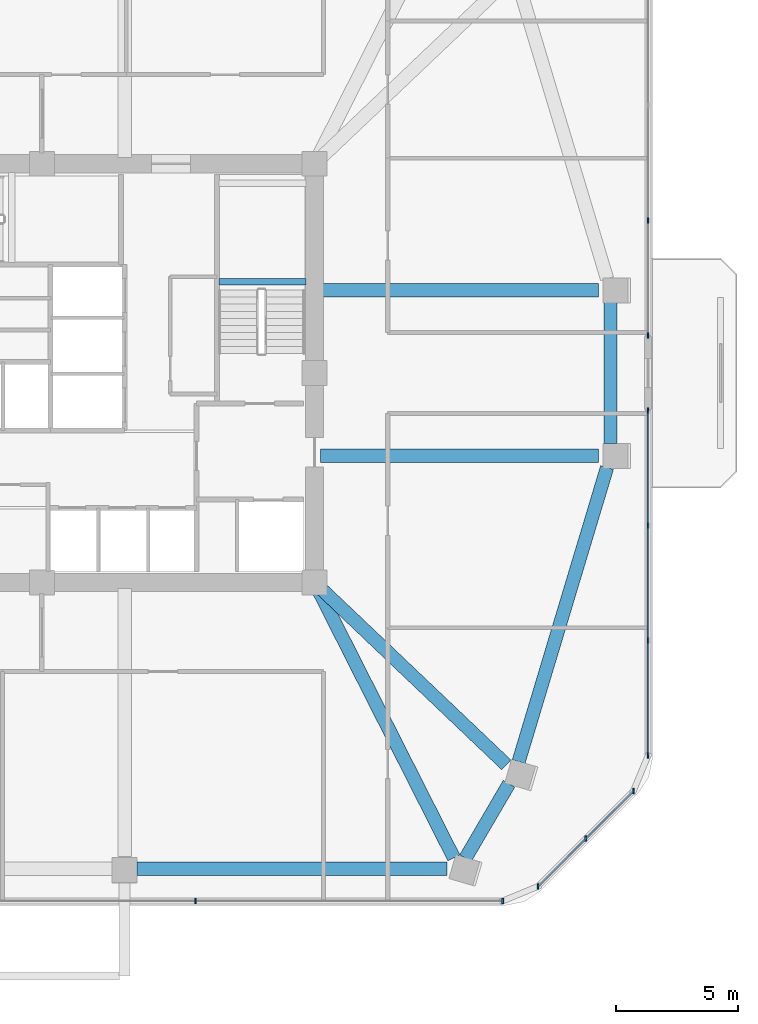
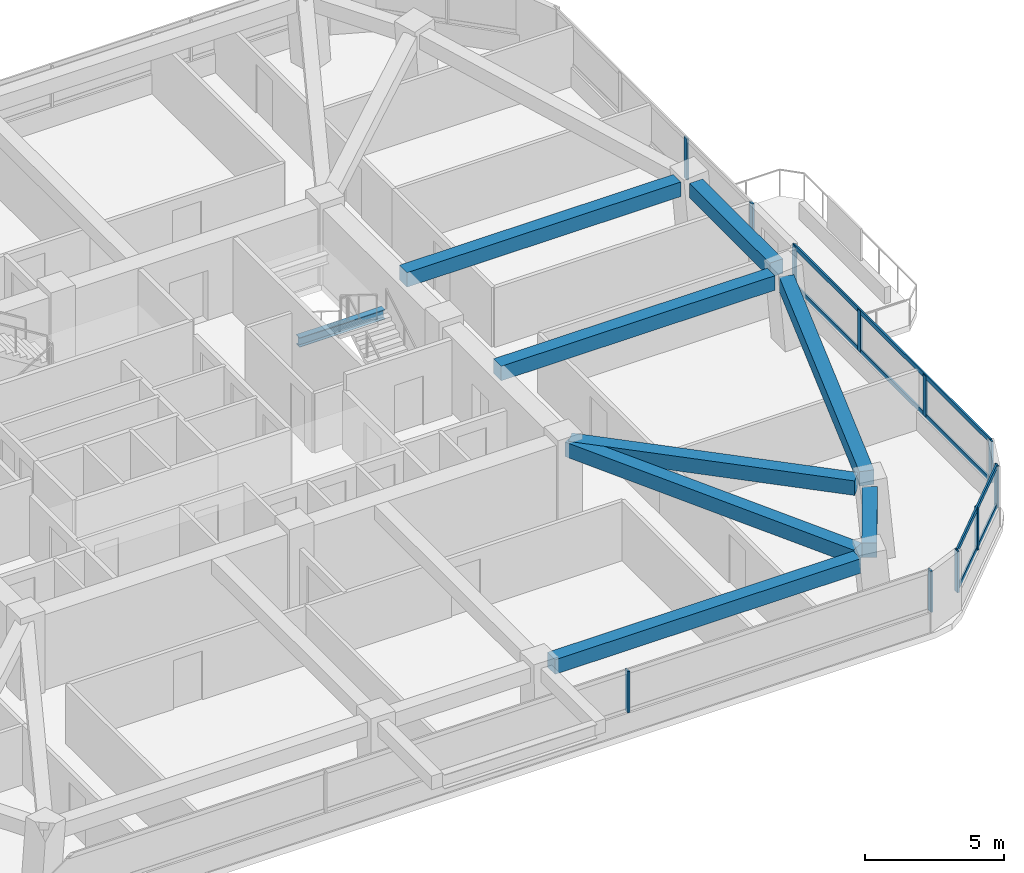
# One storey, part 5 of 13: 15 members, 9 beams, 4 elements without a shape of their own.
"""IFC4 building model written with IfcOpenShell, lengths in metres."""

import ifcopenshell
import ifcopenshell.guid

model = None  # the IFC model being written
_history = None  # IfcOwnerHistory: only IFC2X3 demands one
_inside = {}  # id of a spatial element -> (the spatial element, [elements in it])
_under = {}  # id of a project, library or spatial element -> (it, [spatial elements below it])
_declared = {}  # id of a project -> (the project, [libraries it declares])
_typed = {}  # id of a type object -> (the type object, [elements of that type])
_made_of = {}  # id of a material, layer set ... -> (it, [elements and type objects made of it])


def new_model(schema):
    """Start an empty IFC model of exactly this schema.

    Asked for "IFC4X3", IfcOpenShell would pick the latest addendum, in which some entities
    have other attributes; the version numbers below select the first issue.
    IFC2X3 requires an IfcOwnerHistory on every rooted entity: one is made here for all.
    """
    global model, _history
    if schema == "IFC4X3":
        model = ifcopenshell.file(schema_version=(4, 3, 0, 0))
    else:
        model = ifcopenshell.file(schema=schema)
    _inside.clear()
    _under.clear()
    _declared.clear()
    _typed.clear()
    _made_of.clear()
    _history = None
    if model.schema == "IFC2X3":
        org = make("IfcOrganization", Name="unknown")
        user = make(
            "IfcPersonAndOrganization",
            ThePerson=make("IfcPerson", FamilyName="unknown"),
            TheOrganization=org,
        )
        app = make(
            "IfcApplication",
            ApplicationDeveloper=org,
            Version="unknown",
            ApplicationFullName="unknown",
            ApplicationIdentifier="unknown",
        )
        _history = make(
            "IfcOwnerHistory",
            OwningUser=user,
            OwningApplication=app,
            ChangeAction="ADDED",
            CreationDate=0,
        )
    return model


def make(cls, **values):
    """One entity of the class cls with the attributes given. An attribute that is None is left unset."""
    return model.create_entity(
        cls, **{name: value for name, value in values.items() if value is not None}
    )


def rooted(cls, **values):
    """An entity with a GlobalId (a new one), such as an element, a storey or a relation."""
    return make(cls, GlobalId=ifcopenshell.guid.new(), OwnerHistory=_history, **values)


def si_unit(unit_type, name, prefix=None):
    """IfcSIUnit, for example si_unit("LENGTHUNIT", "METRE", prefix="MILLI")."""
    return make("IfcSIUnit", UnitType=unit_type, Prefix=prefix, Name=name)


def derived_unit(unit_type, elements):
    """IfcDerivedUnit: a product of units, each with its exponent."""
    return make(
        "IfcDerivedUnit",
        Elements=[
            make("IfcDerivedUnitElement", Unit=unit, Exponent=power)
            for unit, power in elements
        ],
        UnitType=unit_type,
    )


def assignment(units):
    """IfcUnitAssignment: the units of a project."""
    return None if units is None else make("IfcUnitAssignment", Units=units)


def point(xyz):
    """IfcCartesianPoint."""
    return None if xyz is None else make("IfcCartesianPoint", Coordinates=xyz)


def direction(xyz):
    """IfcDirection."""
    return None if xyz is None else make("IfcDirection", DirectionRatios=xyz)


def frame(location, z_axis=None, x_axis=None):
    """IfcAxis2Placement3D, a coordinate frame: its origin and axes. An axis left out is left unset."""
    return make(
        "IfcAxis2Placement3D",
        Location=point(location),
        Axis=direction(z_axis),
        RefDirection=direction(x_axis),
    )


def frame_2d(location, x_axis=None):
    """IfcAxis2Placement2D, a coordinate frame in the plane: its origin and x axis."""
    return make(
        "IfcAxis2Placement2D", Location=point(location), RefDirection=direction(x_axis)
    )


def origin():
    """The frame at (0, 0, 0) with its axes left unset."""
    return frame((0.0, 0.0, 0.0))


def origin_2d():
    """The frame at (0, 0) in the plane with its x axis left unset."""
    return frame_2d((0.0, 0.0))


def place(relative_to, where):
    """IfcLocalPlacement: puts the frame where relative to a parent placement (None: the world)."""
    return make(
        "IfcLocalPlacement", PlacementRelTo=relative_to, RelativePlacement=where
    )


def context(
    kind, dimensions, precision=None, world=None, true_north=None, identifier=None
):
    """IfcGeometricRepresentationContext, for example the 3D "Model" context."""
    return make(
        "IfcGeometricRepresentationContext",
        ContextIdentifier=identifier,
        ContextType=kind,
        CoordinateSpaceDimension=dimensions,
        Precision=precision,
        WorldCoordinateSystem=world,
        TrueNorth=true_north,
    )


def subcontext(parent, identifier, kind, view, scale=None):
    """IfcGeometricRepresentationSubContext, for example "Body" below "Model"."""
    return make(
        "IfcGeometricRepresentationSubContext",
        ContextIdentifier=identifier,
        ContextType=kind,
        ParentContext=parent,
        TargetScale=scale,
        TargetView=view,
    )


def project(units=None, contexts=None):
    """IfcProject with its units and contexts."""
    return rooted(
        "IfcProject",
        Name="project",
        RepresentationContexts=contexts,
        UnitsInContext=assignment(units),
    )


def spatial(cls, under=None, at=None, **own):
    """A site, building, storey or space (cls), placed at a placement, below another one or the project."""
    s = rooted(cls, ObjectPlacement=at, **own)
    if under is not None:
        _under.setdefault(under.id(), (under, []))[1].append(s)
    return s


def profile(cls, at=None, kind="AREA", **sizes):
    """A parametric profile (cls). Its sizes go by their IFC names, for example OverallWidth=200.0."""
    return make(cls, ProfileType=kind, Position=at, **sizes)


def rectangle(**sizes):
    """IfcRectangleProfileDef."""
    return profile("IfcRectangleProfileDef", **sizes)


def i_section(**sizes):
    """IfcIShapeProfileDef."""
    return profile("IfcIShapeProfileDef", **sizes)


def extrude(swept, where, along, depth):
    """IfcExtrudedAreaSolid: the profile swept, set in the frame where, extruded along a direction by depth."""
    return make(
        "IfcExtrudedAreaSolid",
        SweptArea=swept,
        Position=where,
        ExtrudedDirection=direction(along),
        Depth=depth,
    )


def shape(context_of_items, identifier, shape_type, items):
    """IfcShapeRepresentation: the items that make up one representation, for example the "Body"."""
    return make(
        "IfcShapeRepresentation",
        ContextOfItems=context_of_items,
        RepresentationIdentifier=identifier,
        RepresentationType=shape_type,
        Items=items,
    )


def material(Name=None, Category=None):
    """IfcMaterial."""
    return make("IfcMaterial", Name=Name, Category=Category)


def material_profile(
    of_material, cross_section, Name=None, Category=None, Priority=None
):
    """IfcMaterialProfile: a cross section and its material."""
    return make(
        "IfcMaterialProfile",
        Name=Name,
        Material=of_material,
        Profile=cross_section,
        Priority=Priority,
        Category=Category,
    )


def profile_set(profiles, Name=None, composite=None):
    """IfcMaterialProfileSet."""
    return make(
        "IfcMaterialProfileSet",
        Name=Name,
        MaterialProfiles=profiles,
        CompositeProfile=composite,
    )


def made_of(thing, what):
    """Note that an element or type object is made of a material, layer set ...; save() writes the relation."""
    if what is not None:
        _made_of.setdefault(what.id(), (what, []))[1].append(thing)
    return thing


def type_object(cls, material=None, **own):
    """A type object (cls), such as IfcWallType, which elements share."""
    return made_of(rooted(cls, **own), material)


def element(
    cls,
    number,
    at=None,
    inside=None,
    cuts=None,
    type_object=None,
    material=None,
    context=None,
    identifier="Body",
    shape_type=None,
    held_by="IfcProductDefinitionShape",
    body=None,
    shapes=None,
    **own,
):
    """One element of the class cls, such as IfcWall. Its Tag is "e" and its number.

    at: its placement. inside: the storey or other place that contains it. cuts: it is an
    opening in that element (IfcRelVoidsElement). A single representation is given by context,
    identifier, shape_type and body (its items); several are given by shapes. held_by: the class
    of the entity that holds the representations. save() writes the other relations.
    """
    e = rooted(cls, Tag="e%d" % number, ObjectPlacement=at, **own)
    if body is not None:
        shapes = [shape(context, identifier, shape_type, body)]
    if shapes is not None:
        e.Representation = make(held_by, Representations=shapes)
    if inside is not None:
        _inside.setdefault(inside.id(), (inside, []))[1].append(e)
    if cuts is not None:
        rooted(
            "IfcRelVoidsElement", RelatingBuildingElement=cuts, RelatedOpeningElement=e
        )
    if type_object is not None:
        _typed.setdefault(type_object.id(), (type_object, []))[1].append(e)
    return made_of(e, material)


def aggregate(whole, parts):
    """IfcRelAggregates: a whole, such as a stair, and the parts it consists of."""
    return rooted("IfcRelAggregates", RelatingObject=whole, RelatedObjects=parts)


def save(model, path):
    """Write the relations noted so far, then the file.

    IfcRelAggregates (storeys below a building ...), IfcRelContainedInSpatialStructure (elements
    in a storey), IfcRelDefinesByType, IfcRelAssociatesMaterial and IfcRelDeclares: one each for
    every whole, place, type object, material and project.
    """
    for whole, parts in _under.values():
        aggregate(whole, parts)
    for where, things in _inside.values():
        rooted(
            "IfcRelContainedInSpatialStructure",
            RelatedElements=things,
            RelatingStructure=where,
        )
    for kind, things in _typed.values():
        rooted("IfcRelDefinesByType", RelatedObjects=things, RelatingType=kind)
    for what, things in _made_of.values():
        rooted("IfcRelAssociatesMaterial", RelatedObjects=things, RelatingMaterial=what)
    for by, libraries in _declared.values():
        rooted("IfcRelDeclares", RelatingContext=by, RelatedDefinitions=libraries)
    model.write(path)


model = new_model("IFC4")

# Units and contexts
model_context = context("Model", 3, precision=1e-05, world=origin(), true_north=direction((0.0, 1.0)))
body_context = subcontext(model_context, "Body", "Model", "MODEL_VIEW")
ifc_project = project(units=[si_unit("LENGTHUNIT", "METRE"), si_unit("AREAUNIT", "SQUARE_METRE"), si_unit("VOLUMEUNIT", "CUBIC_METRE"), si_unit("PLANEANGLEUNIT", "RADIAN"), si_unit("MASSUNIT", "GRAM", prefix="KILO"), derived_unit("THERMALTRANSMITTANCEUNIT", [(si_unit("POWERUNIT", "WATT"), 1), (si_unit("LENGTHUNIT", "METRE"), -2), (si_unit("THERMODYNAMICTEMPERATUREUNIT", "KELVIN"), -1)])], contexts=[model_context])

# Site, building, storey
site_placement = place(None, origin())
site = spatial("IfcSite", under=ifc_project, at=site_placement, CompositionType="ELEMENT")
building_placement = place(site_placement, origin())
building = spatial("IfcBuilding", under=site, at=building_placement, Name="Koralith Skygarden Medical Center", CompositionType="ELEMENT")
storey_placement = place(building_placement, frame((0.0, 0.0, 109.97998046875)))
storey = spatial("IfcBuildingStorey", under=building, at=storey_placement, Name="L28", CompositionType="ELEMENT", Elevation=109.97998046875)

# Curtain wall, members
ifc_material_1 = material(Name="Clear Laminated Glass", Category="glass")
curtain_wall_type = type_object("IfcCurtainWallType", Name="CW-3 Zone 2 Faceted Solar Curtain Wall", PredefinedType="NOTDEFINED", material=ifc_material_1)
curtain_wall_1_placement = place(storey_placement, origin())
curtain_wall_1 = element("IfcCurtainWall", 1, at=curtain_wall_1_placement, inside=storey, type_object=curtain_wall_type, Name="Curtain Wall CW-L28-S", PredefinedType="NOTDEFINED")
ifc_material_2 = material(Name="Aluminium 6063-T6", Category="aluminium")
ifc_material_profile_1 = material_profile(ifc_material_2, rectangle(XDim=0.073974609375, YDim=0.219970703125, at=origin_2d()), Name="MUL74X220")
ifc_profile_set_1 = profile_set([ifc_material_profile_1], Name="Aluminium 6063-T6")
member_type_1 = type_object("IfcMemberType", Name="CW-3 Extruded Mullion 74x220", PredefinedType="MULLION", material=ifc_profile_set_1)
member_1_placement = place(storey_placement, frame((43.31005859375, 4.2109375, 0.85009765625), z_axis=(0.0, 0.0, 1.0), x_axis=(1.0, 0.0, 0.0)))
member_1 = element("IfcMember", 2, at=member_1_placement, type_object=member_type_1, Name="CW-L28-S Mullion 3", PredefinedType="MULLION", context=body_context, shape_type="SweptSolid", body=[
    extrude(rectangle(XDim=0.073974609375, YDim=0.219970703125, at=origin_2d()), origin(), (0.0, 0.0, 1.0), 1.81982421875),
])
member_2_placement = place(storey_placement, frame((55.930908203125, 4.2109375, 0.85009765625), z_axis=(0.0, 0.0, 1.0), x_axis=(1.0, 0.0, 0.0)))
member_2 = element("IfcMember", 3, at=member_2_placement, type_object=member_type_1, Name="CW-L28-S Mullion 4", PredefinedType="MULLION", context=body_context, shape_type="SweptSolid", body=[
    extrude(rectangle(XDim=0.073974609375, YDim=0.219970703125, at=origin_2d()), origin(), (0.0, 0.0, 1.0), 1.81982421875),
])
aggregate(curtain_wall_1, [member_1, member_2])

curtain_wall_2_placement = place(storey_placement, origin())
curtain_wall_2 = element("IfcCurtainWall", 4, at=curtain_wall_2_placement, inside=storey, type_object=curtain_wall_type, Name="Curtain Wall CW-L28-SE", PredefinedType="NOTDEFINED")
member_3_placement = place(storey_placement, frame((57.382080078125, 4.81201171875, 0.85009765625), z_axis=(0.0, 0.0, 1.0), x_axis=(1.0, 0.0, 0.0)))
member_3 = element("IfcMember", 5, at=member_3_placement, type_object=member_type_1, Name="CW-L28-SE Mullion 1", PredefinedType="MULLION", context=body_context, shape_type="SweptSolid", body=[
    extrude(rectangle(XDim=0.073974609375, YDim=0.219970703125, at=origin_2d()), origin(), (0.0, 0.0, 1.0), 1.81982421875),
])
member_4_placement = place(storey_placement, frame((59.343017578125, 6.77392578125, 0.85009765625), z_axis=(0.0, 0.0, 1.0), x_axis=(1.0, 0.0, 0.0)))
member_4 = element("IfcMember", 6, at=member_4_placement, type_object=member_type_1, Name="CW-L28-SE Mullion 2", PredefinedType="MULLION", context=body_context, shape_type="SweptSolid", body=[
    extrude(rectangle(XDim=0.073974609375, YDim=0.219970703125, at=origin_2d()), origin(), (0.0, 0.0, 1.0), 1.81982421875),
])
member_5_placement = place(storey_placement, frame((61.304931640625, 8.735107421875, 0.85009765625), z_axis=(0.0, 0.0, 1.0), x_axis=(1.0, 0.0, 0.0)))
member_5 = element("IfcMember", 7, at=member_5_placement, type_object=member_type_1, Name="CW-L28-SE Mullion 3", PredefinedType="MULLION", context=body_context, shape_type="SweptSolid", body=[
    extrude(rectangle(XDim=0.073974609375, YDim=0.219970703125, at=origin_2d()), origin(), (0.0, 0.0, 1.0), 1.81982421875),
])

curtain_wall_3_placement = place(storey_placement, origin())
curtain_wall_3 = element("IfcCurtainWall", 8, at=curtain_wall_3_placement, inside=storey, type_object=curtain_wall_type, Name="Curtain Wall CW-L28-E-L", PredefinedType="NOTDEFINED")
member_6_placement = place(storey_placement, frame((61.906005859375, 10.18603515625, 0.85009765625), z_axis=(0.0, 0.0, 1.0), x_axis=(1.0, 0.0, 0.0)))
member_6 = element("IfcMember", 9, at=member_6_placement, type_object=member_type_1, Name="CW-L28-E-L Mullion 1", PredefinedType="MULLION", context=body_context, shape_type="SweptSolid", body=[
    extrude(rectangle(XDim=0.073974609375, YDim=0.219970703125, at=origin_2d()), origin(), (0.0, 0.0, 1.0), 1.81982421875),
])
member_7_placement = place(storey_placement, frame((61.906005859375, 14.909912109375, 0.85009765625), z_axis=(0.0, 0.0, 1.0), x_axis=(1.0, 0.0, 0.0)))
member_7 = element("IfcMember", 10, at=member_7_placement, type_object=member_type_1, Name="CW-L28-E-L Mullion 2", PredefinedType="MULLION", context=body_context, shape_type="SweptSolid", body=[
    extrude(rectangle(XDim=0.073974609375, YDim=0.219970703125, at=origin_2d()), origin(), (0.0, 0.0, 1.0), 1.81982421875),
])
member_8_placement = place(storey_placement, frame((61.906005859375, 19.635009765625, 0.85009765625), z_axis=(0.0, 0.0, 1.0), x_axis=(1.0, 0.0, 0.0)))
member_8 = element("IfcMember", 11, at=member_8_placement, type_object=member_type_1, Name="CW-L28-E-L Mullion 3", PredefinedType="MULLION", context=body_context, shape_type="SweptSolid", body=[
    extrude(rectangle(XDim=0.073974609375, YDim=0.219970703125, at=origin_2d()), origin(), (0.0, 0.0, 1.0), 1.81982421875),
])
member_9_placement = place(storey_placement, frame((61.906005859375, 24.35888671875, 0.85009765625), z_axis=(0.0, 0.0, 1.0), x_axis=(1.0, 0.0, 0.0)))
member_9 = element("IfcMember", 12, at=member_9_placement, type_object=member_type_1, Name="CW-L28-E-L Mullion 4", PredefinedType="MULLION", context=body_context, shape_type="SweptSolid", body=[
    extrude(rectangle(XDim=0.073974609375, YDim=0.219970703125, at=origin_2d()), origin(), (0.0, 0.0, 1.0), 1.81982421875),
])

curtain_wall_4_placement = place(storey_placement, origin())
curtain_wall_4 = element("IfcCurtainWall", 13, at=curtain_wall_4_placement, inside=storey, type_object=curtain_wall_type, Name="Curtain Wall CW-L28-E-R", PredefinedType="NOTDEFINED")
member_10_placement = place(storey_placement, frame((61.906005859375, 27.43896484375, 0.85009765625), z_axis=(0.0, 0.0, 1.0), x_axis=(1.0, 0.0, 0.0)))
member_10 = element("IfcMember", 14, at=member_10_placement, type_object=member_type_1, Name="CW-L28-E-R Mullion 1", PredefinedType="MULLION", context=body_context, shape_type="SweptSolid", body=[
    extrude(rectangle(XDim=0.073974609375, YDim=0.219970703125, at=origin_2d()), origin(), (0.0, 0.0, 1.0), 1.81982421875),
])
member_11_placement = place(storey_placement, frame((61.906005859375, 32.1640625, 0.85009765625), z_axis=(0.0, 0.0, 1.0), x_axis=(1.0, 0.0, 0.0)))
member_11 = element("IfcMember", 15, at=member_11_placement, type_object=member_type_1, Name="CW-L28-E-R Mullion 2", PredefinedType="MULLION", context=body_context, shape_type="SweptSolid", body=[
    extrude(rectangle(XDim=0.073974609375, YDim=0.219970703125, at=origin_2d()), origin(), (0.0, 0.0, 1.0), 1.81982421875),
])
aggregate(curtain_wall_4, [member_10, member_11])

# Member
ifc_material_profile_2 = material_profile(ifc_material_2, rectangle(XDim=0.069091796875, YDim=0.197998046875, at=origin_2d()), Name="TRN69X198")
ifc_profile_set_2 = profile_set([ifc_material_profile_2], Name="Aluminium 6063-T6")
member_type_2 = type_object("IfcMemberType", Name="CW-3 Thermal Transom 69x198", PredefinedType="USERDEFINED", material=ifc_profile_set_2)
member_12_placement = place(storey_placement, frame((57.382080078125, 4.81201171875, 0.89990234375), z_axis=(0.707084777957, 0.707128783731, 0.0), x_axis=(-0.707128783731, 0.707084777957, 0.0)))
member_12 = element("IfcMember", 16, at=member_12_placement, type_object=member_type_2, Name="CW-L28-SE Transom 1", ObjectType="TRANSOM", PredefinedType="USERDEFINED", context=body_context, shape_type="SweptSolid", body=[
    extrude(rectangle(XDim=0.069091796875, YDim=0.197998046875, at=origin_2d()), origin(), (0.0, 0.0, 1.0), 5.5478515625),
])

member_13_placement = place(storey_placement, frame((57.382080078125, 4.81201171875, 2.6201171875), z_axis=(0.707084777957, 0.707128783731, 0.0), x_axis=(-0.707128783731, 0.707084777957, 0.0)))
member_13 = element("IfcMember", 17, at=member_13_placement, type_object=member_type_2, Name="CW-L28-SE Transom 2", ObjectType="TRANSOM", PredefinedType="USERDEFINED", context=body_context, shape_type="SweptSolid", body=[
    extrude(rectangle(XDim=0.069091796875, YDim=0.197998046875, at=origin_2d()), origin(), (0.0, 0.0, 1.0), 5.5478515625),
])

aggregate(curtain_wall_2, [member_3, member_4, member_5, member_12, member_13])

member_14_placement = place(storey_placement, frame((61.906005859375, 10.18603515625, 0.89990234375), z_axis=(0.0, 1.0, 0.0), x_axis=(-1.0, 0.0, 0.0)))
member_14 = element("IfcMember", 18, at=member_14_placement, type_object=member_type_2, Name="CW-L28-E-L Transom 1", ObjectType="TRANSOM", PredefinedType="USERDEFINED", context=body_context, shape_type="SweptSolid", body=[
    extrude(rectangle(XDim=0.069091796875, YDim=0.197998046875, at=origin_2d()), origin(), (0.0, 0.0, 1.0), 14.1728515625),
])

member_15_placement = place(storey_placement, frame((61.906005859375, 10.18603515625, 2.6201171875), z_axis=(0.0, 1.0, 0.0), x_axis=(-1.0, 0.0, 0.0)))
member_15 = element("IfcMember", 19, at=member_15_placement, type_object=member_type_2, Name="CW-L28-E-L Transom 2", ObjectType="TRANSOM", PredefinedType="USERDEFINED", context=body_context, shape_type="SweptSolid", body=[
    extrude(rectangle(XDim=0.069091796875, YDim=0.197998046875, at=origin_2d()), origin(), (0.0, 0.0, 1.0), 14.1728515625),
])

aggregate(curtain_wall_3, [member_6, member_7, member_8, member_9, member_14, member_15])

# Beams
ifc_material_3 = material(Name="Steel ASTM A992 Grade 50", Category="steel")
ifc_material_profile_3 = material_profile(ifc_material_3, i_section(OverallWidth=0.260009765625, OverallDepth=0.4150390625, WebThickness=0.010009765625, FlangeThickness=0.016845703125, at=origin_2d()), Name="W16X67")
ifc_profile_set_3 = profile_set([ifc_material_profile_3], Name="Steel ASTM A992 Grade 50")
beam_type_1 = type_object("IfcBeamType", Name="Clinical Floor Joist W16X67", PredefinedType="JOIST", material=ifc_profile_set_3)
beam_1_placement = place(storey_placement, frame((44.280029296875, 29.659912109375, 1.39306640625), z_axis=(1.0, 0.0, 0.0), x_axis=(0.0, 1.0, 0.0)))
element("IfcBeam", 20, at=beam_1_placement, inside=storey, type_object=beam_type_1, Name="L28 Stair ST2 Half-Landing Support Beam 1A", PredefinedType="JOIST", context=body_context, shape_type="SweptSolid", body=[
    extrude(i_section(OverallWidth=0.260009765625, OverallDepth=0.4150390625, WebThickness=0.010009765625, FlangeThickness=0.016845703125, at=origin_2d()), origin(), (0.0, 0.0, 1.0), 3.56494140625),
])
ifc_material_4 = material(Name="Concrete C45/55", Category="concrete")
ifc_material_profile_4 = material_profile(ifc_material_4, rectangle(XDim=0.550048828125, YDim=0.639892578125, at=origin_2d()), Name="RCB550X640")
ifc_profile_set_4 = profile_set([ifc_material_profile_4], Name="Concrete C45/55")
beam_type_2 = type_object("IfcBeamType", Name="Radial Collector Beam RCB550X640", PredefinedType="BEAM", material=ifc_profile_set_4)
beam_2_placement = place(storey_placement, frame((48.31298828125, 17.076904296875, 3.0), z_axis=(0.451529041703, -0.892256423064, 0.0), x_axis=(0.892256423064, 0.451529041703, 0.0)))
element("IfcBeam", 21, at=beam_2_placement, inside=storey, type_object=beam_type_2, Name="L28 Radial Collector Beam RB-06", PredefinedType="BEAM", context=body_context, shape_type="SweptSolid", body=[
    extrude(rectangle(XDim=0.550048828125, YDim=0.639892578125, at=origin_2d()), origin(), (0.0, 0.0, 1.0), 12.43115234375),
])
beam_3_placement = place(storey_placement, frame((48.381103515625, 17.1279296875, 3.0), z_axis=(0.724664943916, -0.689101385181, 0.0), x_axis=(0.689101385181, 0.724664943916, 0.0)))
element("IfcBeam", 22, at=beam_3_placement, inside=storey, type_object=beam_type_2, Name="L28 Radial Collector Beam RB-07", PredefinedType="BEAM", context=body_context, shape_type="SweptSolid", body=[
    extrude(rectangle(XDim=0.550048828125, YDim=0.639892578125, at=origin_2d()), origin(), (0.0, 0.0, 1.0), 10.626953125),
])
for number, where, z_axis, x_axis, name in (
    (23, (48.449951171875, 22.5, 3.0), (1.0, 0.0, 0.0), (0.0, 1.0, 0.0), "L28 Radial Collector Beam RB-08"),
    (24, (48.449951171875, 29.300048828125, 3.0), (1.0, 0.0, 0.0), (0.0, 1.0, 0.0), "L28 Radial Collector Beam RB-09"),
):
    element("IfcBeam", number, at=place(storey_placement, frame(where, z_axis=z_axis, x_axis=x_axis)), inside=storey, type_object=beam_type_2, Name=name, PredefinedType="BEAM", context=body_context, shape_type="SweptSolid", body=[
        extrude(rectangle(XDim=0.550048828125, YDim=0.639892578125, at=origin_2d()), origin(), (0.0, 0.0, 1.0), 11.4140625),
    ])
ifc_material_profile_5 = material_profile(ifc_material_4, rectangle(XDim=0.550048828125, YDim=0.639892578125, at=origin_2d()), Name="RCB550X640")
ifc_profile_set_5 = profile_set([ifc_material_profile_5], Name="Concrete C45/55")
beam_type_3 = type_object("IfcBeamType", Name="Zone 2-3 Spandrel Beam RCB550X640", PredefinedType="SPANDREL", material=ifc_profile_set_5)
beam_4_placement = place(storey_placement, frame((40.89990234375, 5.5390625, 3.0), z_axis=(1.0, 0.0, 0.0), x_axis=(0.0, 1.0, 0.0)))
element("IfcBeam", 25, at=beam_4_placement, inside=storey, type_object=beam_type_3, Name="L28 Perimeter Spandrel Beam SP-05", PredefinedType="SPANDREL", context=body_context, shape_type="SweptSolid", body=[
    extrude(rectangle(XDim=0.550048828125, YDim=0.639892578125, at=origin_2d()), origin(), (0.0, 0.0, 1.0), 12.752197265625),
])
beam_5_placement = place(storey_placement, frame((54.404052734375, 5.970947265625, 3.0), z_axis=(0.504822258312, 0.863223312656, 0.0), x_axis=(-0.863223312656, 0.504822258312, 0.0)))
element("IfcBeam", 26, at=beam_5_placement, inside=storey, type_object=beam_type_3, Name="L28 Perimeter Spandrel Beam SP-06", PredefinedType="SPANDREL", context=body_context, shape_type="SweptSolid", body=[
    extrude(rectangle(XDim=0.550048828125, YDim=0.639892578125, at=origin_2d()), origin(), (0.0, 0.0, 1.0), 3.54150390625),
])
beam_6_placement = place(storey_placement, frame((56.587890625, 9.93896484375, 3.0), z_axis=(0.287891099441, 0.95766315313, 0.0), x_axis=(-0.95766315313, 0.287891099441, 0.0)))
element("IfcBeam", 27, at=beam_6_placement, inside=storey, type_object=beam_type_3, Name="L28 Perimeter Spandrel Beam SP-07", PredefinedType="SPANDREL", context=body_context, shape_type="SweptSolid", body=[
    extrude(rectangle(XDim=0.550048828125, YDim=0.639892578125, at=origin_2d()), origin(), (0.0, 0.0, 1.0), 12.6162109375),
])
beam_7_placement = place(storey_placement, frame((60.364013671875, 23.0, 3.0), z_axis=(0.0, 1.0, 0.0), x_axis=(-1.0, 0.0, 0.0)))
element("IfcBeam", 28, at=beam_7_placement, inside=storey, type_object=beam_type_3, Name="L28 Perimeter Spandrel Beam SP-08", PredefinedType="SPANDREL", context=body_context, shape_type="SweptSolid", body=[
    extrude(rectangle(XDim=0.550048828125, YDim=0.639892578125, at=origin_2d()), origin(), (0.0, 0.0, 1.0), 5.800048828125),
])

save(model, "model.ifc")
